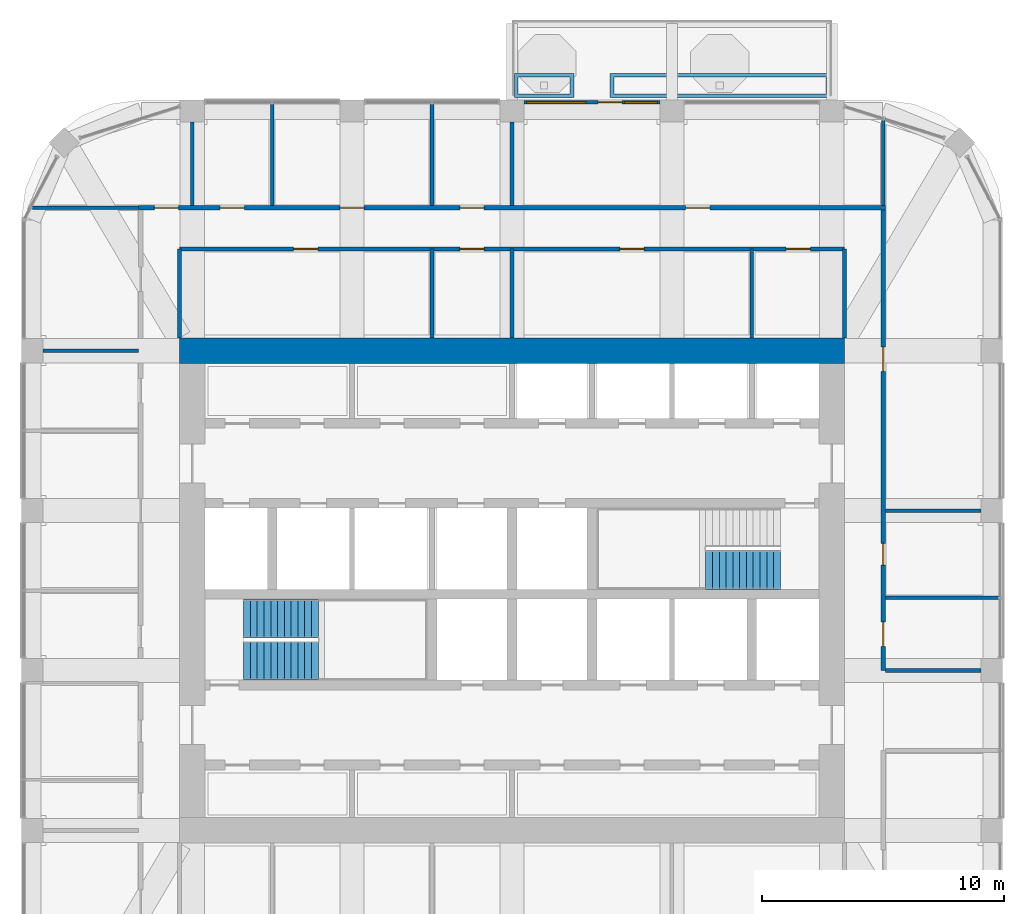
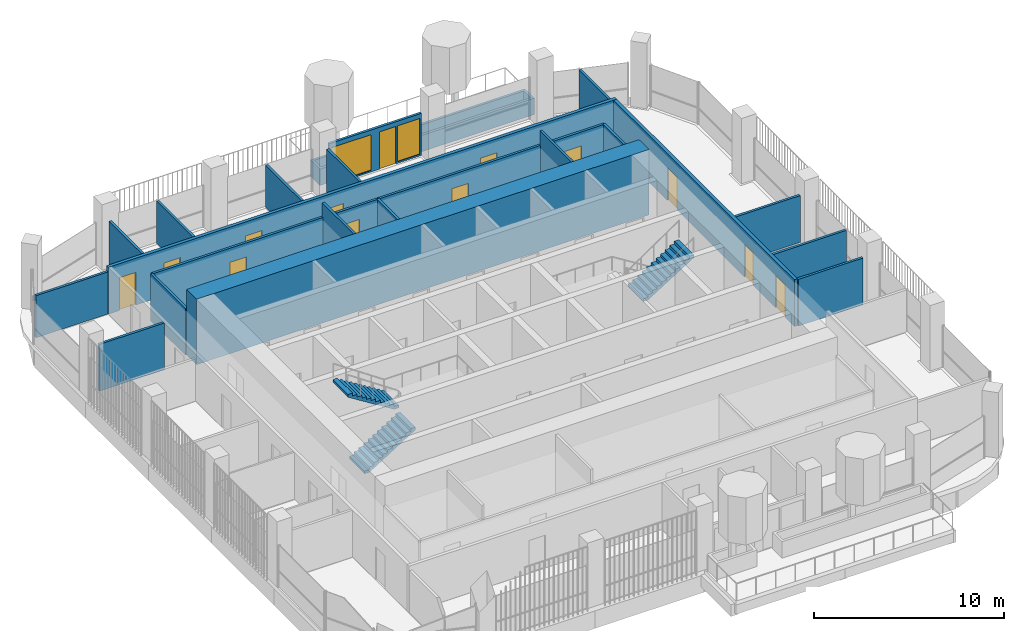
# One storey, part 16 of 21: 22 walls, 13 doors, 3 stair flights, 2 windows, 15 openings, 2 elements without a shape of their own.
"""IFC4 building model written with IfcOpenShell, lengths in metres."""

from ifc_helpers import new_model, si_unit, direction, frame, frame_2d, origin, place, context, subcontext, project, spatial, polyline, rectangle, outline, extrude, material, layer, layer_set, type_object, element, fill, aggregate, save


model = new_model("IFC4")

# Units and contexts
model_context = context("Model", 3, precision=1e-05, world=origin(), true_north=direction((0.0, 1.0)))
body_context = subcontext(model_context, "Body", "Model", "MODEL_VIEW")
ifc_project = project(units=[si_unit("LENGTHUNIT", "METRE"), si_unit("AREAUNIT", "SQUARE_METRE"), si_unit("VOLUMEUNIT", "CUBIC_METRE"), si_unit("PLANEANGLEUNIT", "RADIAN"), si_unit("MASSUNIT", "GRAM", prefix="KILO")], contexts=[model_context])

# Site, building, storey
site_placement = place(None, origin())
site = spatial("IfcSite", under=ifc_project, at=site_placement, CompositionType="ELEMENT")
building_placement = place(site_placement, origin())
building = spatial("IfcBuilding", under=site, at=building_placement, Name="Cobogo Forest Laboratory Tower", CompositionType="ELEMENT")
storey_placement = place(building_placement, frame((0.0, 0.0, 267.0)))
storey = spatial("IfcBuildingStorey", under=building, at=storey_placement, Name="L61", CompositionType="ELEMENT", Elevation=267.0)

# Wall
ifc_material_1 = material(Name="Concrete HA-50 (C50/60)", Category="concrete")
ifc_layer_1 = layer(ifc_material_1, 1.050048828125)
ifc_layer_set_1 = layer_set([ifc_layer_1], Name="CW1050 core outer wall 1050")
wall_type_1 = type_object("IfcWallType", Name="CW1050 core outer wall 1050", PredefinedType="SHEAR", material=ifc_layer_set_1)
wall_1_placement = place(storey_placement, frame((40.125, 33.0, 0.0), z_axis=(0.0, 0.0, 1.0), x_axis=(-1.0, 0.0, 0.0)))
element("IfcWall", 1, at=wall_1_placement, inside=storey, type_object=wall_type_1, Name="Core wall CO-N L61", PredefinedType="SHEAR", context=body_context, shape_type="SweptSolid", body=[
    extrude(rectangle(XDim=27.449951171875, YDim=1.050048828125, at=frame_2d((13.72509765625, 0.0))), origin(), (0.0, 0.0, 1.0), 4.199951171875),
])

# Wall, openings, door, windows
ifc_material_2 = material(Name="Aluminium framed glazed screen", Category="aluminium")
ifc_layer_2 = layer(ifc_material_2, 0.14990234375)
ifc_layer_set_2 = layer_set([ifc_layer_2], Name="GS1 glazed door screen 150")
wall_type_2 = type_object("IfcWallType", Name="GS1 glazed door screen 150", PredefinedType="SOLIDWALL", material=ifc_layer_set_2)
wall_2_placement = place(storey_placement, frame((32.5, 43.25, 0.0), z_axis=(0.0, 0.0, 1.0), x_axis=(-1.0, 0.0, 0.0)))
wall_2 = element("IfcWall", 2, at=wall_2_placement, inside=storey, type_object=wall_type_2, Name="Door screen BAL-N1 L61", PredefinedType="SOLIDWALL", context=body_context, shape_type="SweptSolid", body=[
    extrude(rectangle(XDim=5.60009765625, YDim=0.14990234375, at=frame_2d((2.800048828125, 0.0))), origin(), (0.0, 0.0, 1.0), 2.699951171875),
])
opening_1_placement = place(wall_2_placement, frame((1.550048828125, 0.0, 0.0)))
opening_1 = element("IfcOpeningElement", 3, at=opening_1_placement, cuts=wall_2, Name="Opening L61-D50", PredefinedType="OPENING", context=body_context, shape_type="SweptSolid", body=[
    extrude(rectangle(XDim=1.0, YDim=2.39990234375, at=frame_2d((0.5, 1.199951171875))), frame((0.0, 0.0849609375, 0.0), z_axis=(0.0, -1.0, 0.0), x_axis=(1.0, 0.0, 0.0)), (0.0, 0.0, 1.0), 0.169921875),
])
opening_2_placement = place(wall_2_placement, frame((0.10009765625, 0.0, 0.10009765625)))
opening_2 = element("IfcOpeningElement", 4, at=opening_2_placement, cuts=wall_2, Name="Opening L61-W04", PredefinedType="OPENING", context=body_context, shape_type="SweptSolid", body=[
    extrude(rectangle(XDim=1.35009765625, YDim=2.300048828125, at=frame_2d((0.675048828125, 1.14990234375))), frame((0.0, 0.0849609375, 0.0), z_axis=(0.0, -1.0, 0.0), x_axis=(1.0, 0.0, 0.0)), (0.0, 0.0, 1.0), 0.169921875),
])
opening_3_placement = place(wall_2_placement, frame((3.050048828125, 0.0, 0.10009765625)))
opening_3 = element("IfcOpeningElement", 5, at=opening_3_placement, cuts=wall_2, Name="Opening L61-W03", PredefinedType="OPENING", context=body_context, shape_type="SweptSolid", body=[
    extrude(rectangle(XDim=2.449951171875, YDim=2.300048828125, at=frame_2d((1.22509765625, 1.14990234375))), frame((0.0, 0.0849609375, 0.0), z_axis=(0.0, -1.0, 0.0), x_axis=(1.0, 0.0, 0.0)), (0.0, 0.0, 1.0), 0.169921875),
])
ifc_material_3 = material(Name="Aluminium glazed door", Category="aluminium")
door_type_1 = type_object("IfcDoorType", Name="DB1 balcony door 1000 glazed", OperationType="SINGLE_SWING_LEFT", PredefinedType="DOOR", material=ifc_material_3)
door_1_placement = place(opening_1_placement, origin())
door_1 = element("IfcDoor", 6, at=door_1_placement, inside=storey, type_object=door_type_1, Name="Door L61-BAL-N1", OperationType="SINGLE_SWING_LEFT", OverallHeight=2.39990234375, OverallWidth=1.0, PredefinedType="DOOR", context=body_context, shape_type="SweptSolid", body=[
    extrude(rectangle(XDim=1.0, YDim=2.39990234375, at=frame_2d((0.5, 1.199951171875))), frame((0.0, 0.02490234375, 0.0), z_axis=(0.0, -1.0, 0.0), x_axis=(1.0, 0.0, 0.0)), (0.0, 0.0, 1.0), 0.050048828125),
])
fill(opening_1, door_1)
ifc_material_4 = material(Name="Aluminium framed glazing", Category="aluminium")
window_type_1 = type_object("IfcWindowType", Name="WG23 fixed glazed light 2450x2300", PartitioningType="SINGLE_PANEL", PredefinedType="WINDOW", material=ifc_material_4)
window_1_placement = place(opening_3_placement, origin())
window_1 = element("IfcWindow", 7, at=window_1_placement, inside=storey, type_object=window_type_1, Name="Window L61-BAL-N1-2", OverallHeight=2.300048828125, OverallWidth=2.449951171875, PartitioningType="SINGLE_PANEL", PredefinedType="WINDOW", context=body_context, shape_type="SweptSolid", body=[
    extrude(rectangle(XDim=2.449951171875, YDim=2.300048828125, at=frame_2d((1.22509765625, 1.14990234375))), frame((0.0, 0.030029296875, 0.0), z_axis=(0.0, -1.0, 0.0), x_axis=(1.0, 0.0, 0.0)), (0.0, 0.0, 1.0), 0.06005859375),
])
fill(opening_3, window_1)
window_type_2 = type_object("IfcWindowType", Name="WG24 fixed glazed light 1350x2300", PartitioningType="SINGLE_PANEL", PredefinedType="WINDOW", material=ifc_material_4)
window_2_placement = place(opening_2_placement, origin())
window_2 = element("IfcWindow", 8, at=window_2_placement, inside=storey, type_object=window_type_2, Name="Window L61-BAL-N1-1", OverallHeight=2.300048828125, OverallWidth=1.35009765625, PartitioningType="SINGLE_PANEL", PredefinedType="WINDOW", context=body_context, shape_type="SweptSolid", body=[
    extrude(rectangle(XDim=1.35009765625, YDim=2.300048828125, at=frame_2d((0.675048828125, 1.14990234375))), frame((0.0, 0.030029296875, 0.0), z_axis=(0.0, -1.0, 0.0), x_axis=(1.0, 0.0, 0.0)), (0.0, 0.0, 1.0), 0.06005859375),
])
fill(opening_2, window_2)

# Wall, openings, doors
ifc_material_5 = material(Name="Gypsum board on steel studs", Category="steel")
ifc_layer_3 = layer(ifc_material_5, 0.14990234375)
ifc_layer_set_3 = layer_set([ifc_layer_3], Name="PT1 laboratory partition 150")
wall_type_3 = type_object("IfcWallType", Name="PT1 laboratory partition 150", PredefinedType="PARTITIONING", material=ifc_layer_set_3)
wall_3_placement = place(storey_placement, frame((12.675048828125, 37.199951171875, 0.0), z_axis=(0.0, 0.0, 1.0), x_axis=(1.0, 0.0, 0.0)))
wall_3 = element("IfcWall", 9, at=wall_3_placement, inside=storey, type_object=wall_type_3, Name="Partition CSTRIP-N L61", PredefinedType="PARTITIONING", context=body_context, shape_type="SweptSolid", body=[
    extrude(rectangle(XDim=27.449951171875, YDim=0.14990234375, at=frame_2d((13.72509765625, 0.0))), origin(), (0.0, 0.0, 1.0), 3.0),
])
opening_4_placement = place(wall_3_placement, frame((4.71240234375, 0.0, 0.0)))
opening_4 = element("IfcOpeningElement", 10, at=opening_4_placement, cuts=wall_3, Name="Opening L61-D41", PredefinedType="OPENING", context=body_context, shape_type="SweptSolid", body=[
    extrude(rectangle(XDim=1.0, YDim=2.10009765625, at=frame_2d((0.5, 1.050048828125))), frame((0.0, 0.0849609375, 0.0), z_axis=(0.0, -1.0, 0.0), x_axis=(1.0, 0.0, 0.0)), (0.0, 0.0, 1.0), 0.169921875),
])
opening_5_placement = place(wall_3_placement, frame((11.574951171875, 0.0, 0.0)))
opening_5 = element("IfcOpeningElement", 11, at=opening_5_placement, cuts=wall_3, Name="Opening L61-D42", PredefinedType="OPENING", context=body_context, shape_type="SweptSolid", body=[
    extrude(rectangle(XDim=1.0, YDim=2.10009765625, at=frame_2d((0.5, 1.050048828125))), frame((0.0, 0.0849609375, 0.0), z_axis=(0.0, -1.0, 0.0), x_axis=(1.0, 0.0, 0.0)), (0.0, 0.0, 1.0), 0.169921875),
])
opening_6_placement = place(wall_3_placement, frame((18.175048828125, 0.0, 0.0)))
opening_6 = element("IfcOpeningElement", 12, at=opening_6_placement, cuts=wall_3, Name="Opening L61-D43", PredefinedType="OPENING", context=body_context, shape_type="SweptSolid", body=[
    extrude(rectangle(XDim=1.0, YDim=2.10009765625, at=frame_2d((0.5, 1.050048828125))), frame((0.0, 0.0849609375, 0.0), z_axis=(0.0, -1.0, 0.0), x_axis=(1.0, 0.0, 0.0)), (0.0, 0.0, 1.0), 0.169921875),
])
opening_7_placement = place(wall_3_placement, frame((25.03759765625, 0.0, 0.0)))
opening_7 = element("IfcOpeningElement", 13, at=opening_7_placement, cuts=wall_3, Name="Opening L61-D44", PredefinedType="OPENING", context=body_context, shape_type="SweptSolid", body=[
    extrude(rectangle(XDim=1.0, YDim=2.10009765625, at=frame_2d((0.5, 1.050048828125))), frame((0.0, 0.0849609375, 0.0), z_axis=(0.0, -1.0, 0.0), x_axis=(1.0, 0.0, 0.0)), (0.0, 0.0, 1.0), 0.169921875),
])
ifc_material_6 = material(Name="Timber fire door", Category="wood")
door_type_2 = type_object("IfcDoorType", Name="FD2 fire door 1000 EI2 30", OperationType="SINGLE_SWING_LEFT", PredefinedType="DOOR", material=ifc_material_6)
door_2_placement = place(opening_4_placement, origin())
door_2 = element("IfcDoor", 14, at=door_2_placement, inside=storey, type_object=door_type_2, Name="Door L61-CSN1", OperationType="SINGLE_SWING_LEFT", OverallHeight=2.10009765625, OverallWidth=1.0, PredefinedType="DOOR", context=body_context, shape_type="SweptSolid", body=[
    extrude(rectangle(XDim=1.0, YDim=2.10009765625, at=frame_2d((0.5, 1.050048828125))), frame((0.0, 0.02490234375, 0.0), z_axis=(0.0, -1.0, 0.0), x_axis=(1.0, 0.0, 0.0)), (0.0, 0.0, 1.0), 0.050048828125),
])
fill(opening_4, door_2)
door_3_placement = place(opening_5_placement, origin())
door_3 = element("IfcDoor", 15, at=door_3_placement, inside=storey, type_object=door_type_2, Name="Door L61-CSN2", OperationType="SINGLE_SWING_LEFT", OverallHeight=2.10009765625, OverallWidth=1.0, PredefinedType="DOOR", context=body_context, shape_type="SweptSolid", body=[
    extrude(rectangle(XDim=1.0, YDim=2.10009765625, at=frame_2d((0.5, 1.050048828125))), frame((0.0, 0.02490234375, 0.0), z_axis=(0.0, -1.0, 0.0), x_axis=(1.0, 0.0, 0.0)), (0.0, 0.0, 1.0), 0.050048828125),
])
fill(opening_5, door_3)
door_4_placement = place(opening_6_placement, origin())
door_4 = element("IfcDoor", 16, at=door_4_placement, inside=storey, type_object=door_type_2, Name="Door L61-CSN3", OperationType="SINGLE_SWING_RIGHT", OverallHeight=2.10009765625, OverallWidth=1.0, PredefinedType="DOOR", context=body_context, shape_type="SweptSolid", body=[
    extrude(rectangle(XDim=1.0, YDim=2.10009765625, at=frame_2d((0.5, 1.050048828125))), frame((0.0, 0.02490234375, 0.0), z_axis=(0.0, -1.0, 0.0), x_axis=(1.0, 0.0, 0.0)), (0.0, 0.0, 1.0), 0.050048828125),
])
fill(opening_6, door_4)
door_5_placement = place(opening_7_placement, origin())
door_5 = element("IfcDoor", 17, at=door_5_placement, inside=storey, type_object=door_type_2, Name="Door L61-CSN4", OperationType="SINGLE_SWING_RIGHT", OverallHeight=2.10009765625, OverallWidth=1.0, PredefinedType="DOOR", context=body_context, shape_type="SweptSolid", body=[
    extrude(rectangle(XDim=1.0, YDim=2.10009765625, at=frame_2d((0.5, 1.050048828125))), frame((0.0, 0.02490234375, 0.0), z_axis=(0.0, -1.0, 0.0), x_axis=(1.0, 0.0, 0.0)), (0.0, 0.0, 1.0), 0.050048828125),
])
fill(opening_7, door_5)

# Walls
for number, where, z_axis, x_axis, name in (
    (18, (12.675048828125, 33.52490234375, 0.0), (0.0, 0.0, 1.0), (0.0, 1.0, 0.0), "Partition CSTRIP-NW L61"),
    (19, (40.125, 33.52490234375, 0.0), (0.0, 0.0, 1.0), (0.0, 1.0, 0.0), "Partition CSTRIP-NE L61"),
):
    element("IfcWall", number, at=place(storey_placement, frame(where, z_axis=z_axis, x_axis=x_axis)), inside=storey, type_object=wall_type_3, Name=name, PredefinedType="PARTITIONING", context=body_context, shape_type="SweptSolid", body=[
        extrude(rectangle(XDim=3.675048828125, YDim=0.14990234375, at=frame_2d((1.83740234375, 0.0))), origin(), (0.0, 0.0, 1.0), 3.0),
    ])
wall_4_placement = place(storey_placement, frame((23.10009765625, 33.52490234375, 0.0), z_axis=(0.0, 0.0, 1.0), x_axis=(0.0, 1.0, 0.0)))
element("IfcWall", 20, at=wall_4_placement, inside=storey, type_object=wall_type_3, Name="Partition CSTRIP-N23.1 L61", PredefinedType="PARTITIONING", context=body_context, shape_type="SweptSolid", body=[
    extrude(rectangle(XDim=3.675048828125, YDim=0.14990234375, at=frame_2d((1.83740234375, 0.0))), origin(), (0.0, 0.0, 1.0), 3.89990234375),
])
wall_5_placement = place(storey_placement, frame((26.39990234375, 33.52490234375, 0.0), z_axis=(0.0, 0.0, 1.0), x_axis=(0.0, 1.0, 0.0)))
element("IfcWall", 21, at=wall_5_placement, inside=storey, type_object=wall_type_3, Name="Partition CSTRIP-N26.4 L61", PredefinedType="PARTITIONING", context=body_context, shape_type="SweptSolid", body=[
    extrude(rectangle(XDim=3.675048828125, YDim=0.14990234375, at=frame_2d((1.83740234375, 0.0))), origin(), (0.0, 0.0, 1.0), 3.0),
])
wall_6_placement = place(storey_placement, frame((36.300048828125, 33.52490234375, 0.0), z_axis=(0.0, 0.0, 1.0), x_axis=(0.0, 1.0, 0.0)))
element("IfcWall", 22, at=wall_6_placement, inside=storey, type_object=wall_type_3, Name="Partition CSTRIP-N36.3 L61", PredefinedType="PARTITIONING", context=body_context, shape_type="SweptSolid", body=[
    extrude(rectangle(XDim=3.675048828125, YDim=0.14990234375, at=frame_2d((1.83740234375, 0.0))), origin(), (0.0, 0.0, 1.0), 3.89990234375),
])
wall_7_placement = place(storey_placement, frame((41.72509765625, 42.4951171875, 0.0), z_axis=(0.0, 0.0, 1.0), x_axis=(0.0, -1.0, 0.0)))
element("IfcWall", 23, at=wall_7_placement, inside=storey, type_object=wall_type_3, Name="Partition PW-NE L61", PredefinedType="PARTITIONING", context=body_context, shape_type="SweptSolid", body=[
    extrude(rectangle(XDim=3.4951171875, YDim=0.14990234375, at=frame_2d((1.74755859375, 0.0))), origin(), (0.0, 0.0, 1.0), 2.699951171875),
])
wall_8_placement = place(storey_placement, frame((6.6025390625, 38.89990234375, 0.0), z_axis=(0.0, 0.0, 1.0), x_axis=(1.0, 0.0, 0.0)))
element("IfcWall", 24, at=wall_8_placement, inside=storey, type_object=wall_type_3, Name="Partition PW-NW L61", PredefinedType="PARTITIONING", context=body_context, shape_type="SweptSolid", body=[
    extrude(rectangle(XDim=4.37255859375, YDim=0.14990234375, at=frame_2d((2.186279296875, 0.0))), origin(), (0.0, 0.0, 1.0), 2.699951171875),
])
wall_9_placement = place(storey_placement, frame((46.469970703125, 22.800048828125, 0.0), z_axis=(0.0, 0.0, 1.0), x_axis=(-1.0, 0.0, 0.0)))
element("IfcWall", 25, at=wall_9_placement, inside=storey, type_object=wall_type_3, Name="Partition SVC-E1-1 L61", PredefinedType="PARTITIONING", context=body_context, shape_type="SweptSolid", body=[
    extrude(rectangle(XDim=4.64501953125, YDim=0.14990234375, at=frame_2d((2.322509765625, 0.0))), origin(), (0.0, 0.0, 1.0), 2.699951171875),
])
for number, where, z_axis, x_axis, name in (
    (26, (45.75, 26.39990234375, 0.0), (0.0, 0.0, 1.0), (-1.0, 0.0, 0.0), "Partition SVC-E2-1 L61"),
    (27, (45.75, 19.800048828125, 0.0), (0.0, 0.0, 1.0), (-1.0, 0.0, 0.0), "Partition CUT-E19.8-1 L61"),
):
    element("IfcWall", number, at=place(storey_placement, frame(where, z_axis=z_axis, x_axis=x_axis)), inside=storey, type_object=wall_type_3, Name=name, PredefinedType="PARTITIONING", context=body_context, shape_type="SweptSolid", body=[
        extrude(rectangle(XDim=3.925048828125, YDim=0.14990234375, at=frame_2d((1.96240234375, 0.0))), origin(), (0.0, 0.0, 1.0), 3.0),
    ])
wall_10_placement = place(storey_placement, frame((13.199951171875, 42.449951171875, 0.0), z_axis=(0.0, 0.0, 1.0), x_axis=(0.0, -1.0, 0.0)))
element("IfcWall", 28, at=wall_10_placement, inside=storey, type_object=wall_type_3, Name="Partition CUT-N13.2-1 L61", PredefinedType="PARTITIONING", context=body_context, shape_type="SweptSolid", body=[
    extrude(rectangle(XDim=3.449951171875, YDim=0.14990234375, at=frame_2d((1.72509765625, 0.0))), origin(), (0.0, 0.0, 1.0), 3.0),
])
for number, where, z_axis, x_axis, name in (
    (29, (16.5, 43.169921875, 0.0), (0.0, 0.0, 1.0), (0.0, -1.0, 0.0), "Partition CUT-N16.5-1 L61"),
    (30, (23.10009765625, 43.169921875, 0.0), (0.0, 0.0, 1.0), (0.0, -1.0, 0.0), "Partition CUT-N23.1-1 L61"),
):
    element("IfcWall", number, at=place(storey_placement, frame(where, z_axis=z_axis, x_axis=x_axis)), inside=storey, type_object=wall_type_3, Name=name, PredefinedType="PARTITIONING", context=body_context, shape_type="SweptSolid", body=[
        extrude(rectangle(XDim=4.169921875, YDim=0.14990234375, at=frame_2d((2.0849609375, 0.0))), origin(), (0.0, 0.0, 1.0), 2.699951171875),
    ])
wall_11_placement = place(storey_placement, frame((26.39990234375, 42.449951171875, 0.0), z_axis=(0.0, 0.0, 1.0), x_axis=(0.0, -1.0, 0.0)))
element("IfcWall", 31, at=wall_11_placement, inside=storey, type_object=wall_type_3, Name="Partition CUT-N26.4-1 L61", PredefinedType="PARTITIONING", context=body_context, shape_type="SweptSolid", body=[
    extrude(rectangle(XDim=3.449951171875, YDim=0.14990234375, at=frame_2d((1.72509765625, 0.0))), origin(), (0.0, 0.0, 1.0), 3.0),
])
wall_12_placement = place(storey_placement, frame((7.050048828125, 33.0, 0.0), z_axis=(0.0, 0.0, 1.0), x_axis=(1.0, 0.0, 0.0)))
element("IfcWall", 32, at=wall_12_placement, inside=storey, type_object=wall_type_3, Name="Partition CUT-W33-1 L61", PredefinedType="PARTITIONING", context=body_context, shape_type="SweptSolid", body=[
    extrude(rectangle(XDim=3.925048828125, YDim=0.14990234375, at=frame_2d((1.96240234375, 0.0))), origin(), (0.0, 0.0, 1.0), 3.0),
])

# Wall, openings, doors
ifc_layer_4 = layer(ifc_material_5, 0.199951171875)
ifc_layer_set_4 = layer_set([ifc_layer_4], Name="PT2 fire-rated corridor partition 200")
wall_type_4 = type_object("IfcWallType", Name="PT2 fire-rated corridor partition 200", PredefinedType="PARTITIONING", material=ifc_layer_set_4)
wall_13_placement = place(storey_placement, frame((10.97509765625, 38.89990234375, 0.0), z_axis=(0.0, 0.0, 1.0), x_axis=(1.0, 0.0, 0.0)))
wall_13 = element("IfcWall", 33, at=wall_13_placement, inside=storey, type_object=wall_type_4, Name="Partition CORR-N L61", PredefinedType="PARTITIONING", context=body_context, shape_type="SweptSolid", body=[
    extrude(rectangle(XDim=30.849853515625, YDim=0.199951171875, at=frame_2d((15.4248046875, 0.0))), origin(), (0.0, 0.0, 1.0), 3.0),
])
opening_8_placement = place(wall_13_placement, frame((0.66259765625, 0.0, 0.0)))
opening_8 = element("IfcOpeningElement", 34, at=opening_8_placement, cuts=wall_13, Name="Opening L61-D45", PredefinedType="OPENING", context=body_context, shape_type="SweptSolid", body=[
    extrude(rectangle(XDim=1.0, YDim=2.10009765625, at=frame_2d((0.5, 1.050048828125))), frame((0.0, 0.10986328125, 0.0), z_axis=(0.0, -1.0, 0.0), x_axis=(1.0, 0.0, 0.0)), (0.0, 0.0, 1.0), 0.219970703125),
])
opening_9_placement = place(wall_13_placement, frame((3.375, 0.0, 0.0)))
opening_9 = element("IfcOpeningElement", 35, at=opening_9_placement, cuts=wall_13, Name="Opening L61-D46", PredefinedType="OPENING", context=body_context, shape_type="SweptSolid", body=[
    extrude(rectangle(XDim=1.0, YDim=2.10009765625, at=frame_2d((0.5, 1.050048828125))), frame((0.0, 0.10986328125, 0.0), z_axis=(0.0, -1.0, 0.0), x_axis=(1.0, 0.0, 0.0)), (0.0, 0.0, 1.0), 0.219970703125),
])
opening_10_placement = place(wall_13_placement, frame((8.324951171875, 0.0, 0.0)))
opening_10 = element("IfcOpeningElement", 36, at=opening_10_placement, cuts=wall_13, Name="Opening L61-D47", PredefinedType="OPENING", context=body_context, shape_type="SweptSolid", body=[
    extrude(rectangle(XDim=1.0, YDim=2.10009765625, at=frame_2d((0.5, 1.050048828125))), frame((0.0, 0.10986328125, 0.0), z_axis=(0.0, -1.0, 0.0), x_axis=(1.0, 0.0, 0.0)), (0.0, 0.0, 1.0), 0.219970703125),
])
opening_11_placement = place(wall_13_placement, frame((13.27490234375, 0.0, 0.0)))
opening_11 = element("IfcOpeningElement", 37, at=opening_11_placement, cuts=wall_13, Name="Opening L61-D48", PredefinedType="OPENING", context=body_context, shape_type="SweptSolid", body=[
    extrude(rectangle(XDim=1.0, YDim=2.10009765625, at=frame_2d((0.5, 1.050048828125))), frame((0.0, 0.10986328125, 0.0), z_axis=(0.0, -1.0, 0.0), x_axis=(1.0, 0.0, 0.0)), (0.0, 0.0, 1.0), 0.219970703125),
])
opening_12_placement = place(wall_13_placement, frame((22.58740234375, 0.0, 0.0)))
opening_12 = element("IfcOpeningElement", 38, at=opening_12_placement, cuts=wall_13, Name="Opening L61-D49", PredefinedType="OPENING", context=body_context, shape_type="SweptSolid", body=[
    extrude(rectangle(XDim=1.0, YDim=2.10009765625, at=frame_2d((0.5, 1.050048828125))), frame((0.0, 0.10986328125, 0.0), z_axis=(0.0, -1.0, 0.0), x_axis=(1.0, 0.0, 0.0)), (0.0, 0.0, 1.0), 0.219970703125),
])
door_6_placement = place(opening_8_placement, origin())
door_6 = element("IfcDoor", 39, at=door_6_placement, inside=storey, type_object=door_type_2, Name="Door L61-N1", OperationType="SINGLE_SWING_LEFT", OverallHeight=2.10009765625, OverallWidth=1.0, PredefinedType="DOOR", context=body_context, shape_type="SweptSolid", body=[
    extrude(rectangle(XDim=1.0, YDim=2.10009765625, at=frame_2d((0.5, 1.050048828125))), frame((0.0, 0.02490234375, 0.0), z_axis=(0.0, -1.0, 0.0), x_axis=(1.0, 0.0, 0.0)), (0.0, 0.0, 1.0), 0.050048828125),
])
fill(opening_8, door_6)
door_7_placement = place(opening_9_placement, origin())
door_7 = element("IfcDoor", 40, at=door_7_placement, inside=storey, type_object=door_type_2, Name="Door L61-N2", OperationType="SINGLE_SWING_LEFT", OverallHeight=2.10009765625, OverallWidth=1.0, PredefinedType="DOOR", context=body_context, shape_type="SweptSolid", body=[
    extrude(rectangle(XDim=1.0, YDim=2.10009765625, at=frame_2d((0.5, 1.050048828125))), frame((0.0, 0.02490234375, 0.0), z_axis=(0.0, -1.0, 0.0), x_axis=(1.0, 0.0, 0.0)), (0.0, 0.0, 1.0), 0.050048828125),
])
fill(opening_9, door_7)
door_8_placement = place(opening_10_placement, origin())
door_8 = element("IfcDoor", 41, at=door_8_placement, inside=storey, type_object=door_type_2, Name="Door L61-N3", OperationType="SINGLE_SWING_LEFT", OverallHeight=2.10009765625, OverallWidth=1.0, PredefinedType="DOOR", context=body_context, shape_type="SweptSolid", body=[
    extrude(rectangle(XDim=1.0, YDim=2.10009765625, at=frame_2d((0.5, 1.050048828125))), frame((0.0, 0.02490234375, 0.0), z_axis=(0.0, -1.0, 0.0), x_axis=(1.0, 0.0, 0.0)), (0.0, 0.0, 1.0), 0.050048828125),
])
fill(opening_10, door_8)
door_9_placement = place(opening_11_placement, origin())
door_9 = element("IfcDoor", 42, at=door_9_placement, inside=storey, type_object=door_type_2, Name="Door L61-N4", OperationType="SINGLE_SWING_LEFT", OverallHeight=2.10009765625, OverallWidth=1.0, PredefinedType="DOOR", context=body_context, shape_type="SweptSolid", body=[
    extrude(rectangle(XDim=1.0, YDim=2.10009765625, at=frame_2d((0.5, 1.050048828125))), frame((0.0, 0.02490234375, 0.0), z_axis=(0.0, -1.0, 0.0), x_axis=(1.0, 0.0, 0.0)), (0.0, 0.0, 1.0), 0.050048828125),
])
fill(opening_11, door_9)
door_10_placement = place(opening_12_placement, origin())
door_10 = element("IfcDoor", 43, at=door_10_placement, inside=storey, type_object=door_type_2, Name="Door L61-N5", OperationType="SINGLE_SWING_RIGHT", OverallHeight=2.10009765625, OverallWidth=1.0, PredefinedType="DOOR", context=body_context, shape_type="SweptSolid", body=[
    extrude(rectangle(XDim=1.0, YDim=2.10009765625, at=frame_2d((0.5, 1.050048828125))), frame((0.0, 0.02490234375, 0.0), z_axis=(0.0, -1.0, 0.0), x_axis=(1.0, 0.0, 0.0)), (0.0, 0.0, 1.0), 0.050048828125),
])
fill(opening_12, door_10)

wall_14_placement = place(storey_placement, frame((41.72509765625, 19.800048828125, 0.0), z_axis=(0.0, 0.0, 1.0), x_axis=(0.0, 1.0, 0.0)))
wall_14 = element("IfcWall", 44, at=wall_14_placement, inside=storey, type_object=wall_type_4, Name="Partition CORR-E-2 L61", PredefinedType="PARTITIONING", context=body_context, shape_type="SweptSolid", body=[
    extrude(rectangle(XDim=19.0, YDim=0.199951171875, at=frame_2d((9.5, 0.0))), origin(), (0.0, 0.0, 1.0), 3.0),
])
opening_13_placement = place(wall_14_placement, frame((1.0, 0.0, 0.0)))
opening_13 = element("IfcOpeningElement", 45, at=opening_13_placement, cuts=wall_14, Name="Opening L61-D28", PredefinedType="OPENING", context=body_context, shape_type="SweptSolid", body=[
    extrude(rectangle(XDim=1.0, YDim=2.10009765625, at=frame_2d((0.5, 1.050048828125))), frame((0.0, 0.10986328125, 0.0), z_axis=(0.0, -1.0, 0.0), x_axis=(1.0, 0.0, 0.0)), (0.0, 0.0, 1.0), 0.219970703125),
])
opening_14_placement = place(wall_14_placement, frame((4.35009765625, 0.0, 0.0)))
opening_14 = element("IfcOpeningElement", 46, at=opening_14_placement, cuts=wall_14, Name="Opening L61-D29", PredefinedType="OPENING", context=body_context, shape_type="SweptSolid", body=[
    extrude(rectangle(XDim=0.89990234375, YDim=2.10009765625, at=frame_2d((0.449951171875, 1.050048828125))), frame((0.0, 0.10986328125, 0.0), z_axis=(0.0, -1.0, 0.0), x_axis=(1.0, 0.0, 0.0)), (0.0, 0.0, 1.0), 0.219970703125),
])
opening_15_placement = place(wall_14_placement, frame((12.35009765625, 0.0, 0.0)))
opening_15 = element("IfcOpeningElement", 47, at=opening_15_placement, cuts=wall_14, Name="Opening L61-D39", PredefinedType="OPENING", context=body_context, shape_type="SweptSolid", body=[
    extrude(rectangle(XDim=1.0, YDim=2.10009765625, at=frame_2d((0.5, 1.050048828125))), frame((0.0, 0.10986328125, 0.0), z_axis=(0.0, -1.0, 0.0), x_axis=(1.0, 0.0, 0.0)), (0.0, 0.0, 1.0), 0.219970703125),
])
ifc_material_7 = material(Name="Steel fire door", Category="steel")
door_type_3 = type_object("IfcDoorType", Name="FD1 fire door 1000 EI2 60", OperationType="SINGLE_SWING_LEFT", PredefinedType="DOOR", material=ifc_material_7)
door_11_placement = place(opening_13_placement, origin())
door_11 = element("IfcDoor", 48, at=door_11_placement, inside=storey, type_object=door_type_3, Name="Door L61-ELEC", OperationType="SINGLE_SWING_LEFT", OverallHeight=2.10009765625, OverallWidth=1.0, PredefinedType="DOOR", context=body_context, shape_type="SweptSolid", body=[
    extrude(rectangle(XDim=1.0, YDim=2.10009765625, at=frame_2d((0.5, 1.050048828125))), frame((0.0, 0.02490234375, 0.0), z_axis=(0.0, -1.0, 0.0), x_axis=(1.0, 0.0, 0.0)), (0.0, 0.0, 1.0), 0.050048828125),
])
fill(opening_13, door_11)
door_12_placement = place(opening_15_placement, origin())
door_12 = element("IfcDoor", 49, at=door_12_placement, inside=storey, type_object=door_type_2, Name="Door L61-E3", OperationType="SINGLE_SWING_RIGHT", OverallHeight=2.10009765625, OverallWidth=1.0, PredefinedType="DOOR", context=body_context, shape_type="SweptSolid", body=[
    extrude(rectangle(XDim=1.0, YDim=2.10009765625, at=frame_2d((0.5, 1.050048828125))), frame((0.0, 0.02490234375, 0.0), z_axis=(0.0, -1.0, 0.0), x_axis=(1.0, 0.0, 0.0)), (0.0, 0.0, 1.0), 0.050048828125),
])
fill(opening_15, door_12)
door_type_4 = type_object("IfcDoorType", Name="FD4 riser access door 900 EI2 60", OperationType="SINGLE_SWING_LEFT", PredefinedType="DOOR", material=ifc_material_7)
door_13_placement = place(opening_14_placement, origin())
door_13 = element("IfcDoor", 50, at=door_13_placement, inside=storey, type_object=door_type_4, Name="Door L61-COMMS", OperationType="SINGLE_SWING_LEFT", OverallHeight=2.10009765625, OverallWidth=0.89990234375, PredefinedType="DOOR", context=body_context, shape_type="SweptSolid", body=[
    extrude(rectangle(XDim=0.89990234375, YDim=2.10009765625, at=frame_2d((0.449951171875, 1.050048828125))), frame((0.0, 0.02490234375, 0.0), z_axis=(0.0, -1.0, 0.0), x_axis=(1.0, 0.0, 0.0)), (0.0, 0.0, 1.0), 0.050048828125),
])
fill(opening_14, door_13)

# Walls
ifc_material_8 = material(Name="Concrete HA-40 (C40/50)", Category="concrete")
ifc_layer_5 = layer(ifc_material_8, 0.14990234375)
ifc_layer_set_5 = layer_set([ifc_layer_5], Name="Planter box 1000x1050")
wall_type_5 = type_object("IfcWallType", Name="Planter box 1000x1050", PredefinedType="USERDEFINED", material=ifc_layer_set_5)
wall_15_placement = place(storey_placement, origin())
element("IfcWall", 51, at=wall_15_placement, inside=storey, type_object=wall_type_5, Name="Planter BAL-N1-1 L61", ObjectType="PLANTER", PredefinedType="USERDEFINED", context=body_context, shape_type="SweptSolid", body=[
    extrude(outline(polyline([(26.5, 43.449951171875), (28.949951171875, 43.449951171875), (28.949951171875, 44.449951171875), (26.5, 44.449951171875), (26.5, 43.449951171875)]), holes=[polyline([(26.64990234375, 43.60009765625), (28.800048828125, 43.60009765625), (28.800048828125, 44.300048828125), (26.64990234375, 44.300048828125), (26.64990234375, 43.60009765625)])]), origin(), (0.0, 0.0, 1.0), 1.050048828125),
])
wall_16_placement = place(storey_placement, origin())
element("IfcWall", 52, at=wall_16_placement, inside=storey, type_object=wall_type_5, Name="Planter BAL-N1-2 L61", ObjectType="PLANTER", PredefinedType="USERDEFINED", context=body_context, shape_type="SweptSolid", body=[
    extrude(outline(polyline([(30.449951171875, 43.449951171875), (39.5, 43.449951171875), (39.5, 44.449951171875), (30.449951171875, 44.449951171875), (30.449951171875, 43.449951171875)]), holes=[polyline([(30.60009765625, 43.60009765625), (39.35009765625, 43.60009765625), (39.35009765625, 44.300048828125), (30.60009765625, 44.300048828125), (30.60009765625, 43.60009765625)])]), origin(), (0.0, 0.0, 1.0), 1.050048828125),
])

# Stair, stair flights
ifc_material_9 = material(Name="Precast concrete HA-40 (C40/50)", Category="concrete")
stair_type = type_object("IfcStairType", Name="ST24 exit stair 24 risers", PredefinedType="HALF_TURN_STAIR", material=ifc_material_9)
stair_1_placement = place(storey_placement, origin())
stair_1 = element("IfcStair", 53, at=stair_1_placement, inside=storey, type_object=stair_type, Name="Stair 1 L61 to L62", PredefinedType="HALF_TURN_STAIR")
stair_flight_type = type_object("IfcStairFlightType", Name="ST stair flight 280 going", PredefinedType="STRAIGHT", material=ifc_material_9)
stair_flight_1_placement = place(storey_placement, frame((15.324951171875, 20.199951171875, 0.0), z_axis=(0.0, 0.0, 1.0), x_axis=(1.0, 0.0, 0.0)))
stair_flight_1 = element("IfcStairFlight", 54, at=stair_flight_1_placement, type_object=stair_flight_type, Name="ST1 flight 1", NumberOfRisers=12, NumberOfTreads=11, PredefinedType="STRAIGHT", RiserHeight=0.175, TreadLength=0.28, context=body_context, shape_type="SweptSolid", body=[
    extrude(outline(polyline([(0.0, 0.0), (0.0, 0.175048828125), (0.280029296875, 0.175048828125), (0.280029296875, 0.35009765625), (0.56005859375, 0.35009765625), (0.56005859375, 0.52490234375), (0.840087890625, 0.52490234375), (0.840087890625, 0.699951171875), (1.1201171875, 0.699951171875), (1.1201171875, 0.875), (1.39990234375, 0.875), (1.39990234375, 1.050048828125), (1.679931640625, 1.050048828125), (1.679931640625, 1.22509765625), (1.9599609375, 1.22509765625), (1.9599609375, 1.39990234375), (2.239990234375, 1.39990234375), (2.239990234375, 1.574951171875), (2.52001953125, 1.574951171875), (2.52001953125, 1.75), (2.800048828125, 1.75), (2.800048828125, 1.925048828125), (3.080078125, 1.925048828125), (3.080078125, 2.10009765625), (3.080078125, 1.748291015625), (0.28271484375, 0.0), (0.0, 0.0)])), frame((0.0, 0.800048828125, 0.0), z_axis=(0.0, -1.0, 0.0), x_axis=(1.0, 0.0, 0.0)), (0.0, 0.0, 1.0), 1.60009765625),
])
stair_flight_2_placement = place(storey_placement, frame((18.405029296875, 21.949951171875, 2.10009765625), z_axis=(0.0, 0.0, 1.0), x_axis=(-1.0, 0.0, 0.0)))
stair_flight_2 = element("IfcStairFlight", 55, at=stair_flight_2_placement, type_object=stair_flight_type, Name="ST1 flight 2", NumberOfRisers=12, NumberOfTreads=11, PredefinedType="STRAIGHT", RiserHeight=0.175, TreadLength=0.28, context=body_context, shape_type="SweptSolid", body=[
    extrude(outline(polyline([(0.0, 0.0), (0.0, 0.175048828125), (0.280029296875, 0.175048828125), (0.280029296875, 0.35009765625), (0.56005859375, 0.35009765625), (0.56005859375, 0.52490234375), (0.840087890625, 0.52490234375), (0.840087890625, 0.699951171875), (1.1201171875, 0.699951171875), (1.1201171875, 0.875), (1.39990234375, 0.875), (1.39990234375, 1.050048828125), (1.679931640625, 1.050048828125), (1.679931640625, 1.22509765625), (1.9599609375, 1.22509765625), (1.9599609375, 1.39990234375), (2.239990234375, 1.39990234375), (2.239990234375, 1.574951171875), (2.52001953125, 1.574951171875), (2.52001953125, 1.75), (2.800048828125, 1.75), (2.800048828125, 1.925048828125), (3.080078125, 1.925048828125), (3.080078125, 2.10009765625), (3.080078125, 1.748291015625), (0.28271484375, 0.0), (0.0, 0.0)])), frame((0.0, 0.800048828125, 0.0), z_axis=(0.0, -1.0, 0.0), x_axis=(1.0, 0.0, 0.0)), (0.0, 0.0, 1.0), 1.60009765625),
])
aggregate(stair_1, [stair_flight_1, stair_flight_2])

# Stair, stair flight
stair_2_placement = place(storey_placement, origin())
stair_2 = element("IfcStair", 56, at=stair_2_placement, inside=storey, type_object=stair_type, Name="Stair 2 L61 to L62", PredefinedType="HALF_TURN_STAIR")
stair_flight_3_placement = place(storey_placement, frame((34.39501953125, 23.949951171875, 2.10009765625), z_axis=(0.0, 0.0, 1.0), x_axis=(1.0, 0.0, 0.0)))
stair_flight_3 = element("IfcStairFlight", 57, at=stair_flight_3_placement, type_object=stair_flight_type, Name="ST2 flight 2", NumberOfRisers=12, NumberOfTreads=11, PredefinedType="STRAIGHT", RiserHeight=0.175, TreadLength=0.28, context=body_context, shape_type="SweptSolid", body=[
    extrude(outline(polyline([(0.0, 0.0), (0.0, 0.175048828125), (0.280029296875, 0.175048828125), (0.280029296875, 0.35009765625), (0.56005859375, 0.35009765625), (0.56005859375, 0.52490234375), (0.840087890625, 0.52490234375), (0.840087890625, 0.699951171875), (1.1201171875, 0.699951171875), (1.1201171875, 0.875), (1.39990234375, 0.875), (1.39990234375, 1.050048828125), (1.679931640625, 1.050048828125), (1.679931640625, 1.22509765625), (1.9599609375, 1.22509765625), (1.9599609375, 1.39990234375), (2.239990234375, 1.39990234375), (2.239990234375, 1.574951171875), (2.52001953125, 1.574951171875), (2.52001953125, 1.75), (2.800048828125, 1.75), (2.800048828125, 1.925048828125), (3.080078125, 1.925048828125), (3.080078125, 2.10009765625), (3.080078125, 1.748291015625), (0.28271484375, 0.0), (0.0, 0.0)])), frame((0.0, 0.800048828125, 0.0), z_axis=(0.0, -1.0, 0.0), x_axis=(1.0, 0.0, 0.0)), (0.0, 0.0, 1.0), 1.60009765625),
])
aggregate(stair_2, [stair_flight_3])

save(model, "model.ifc")
